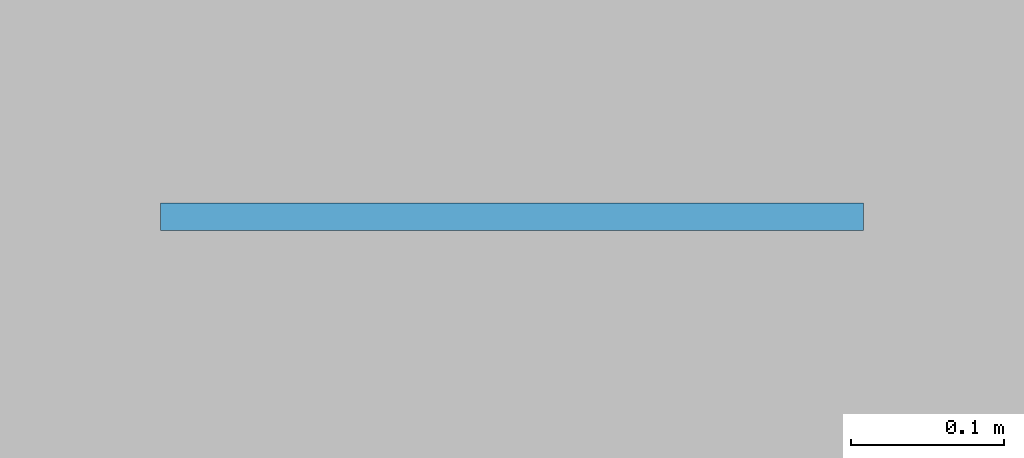
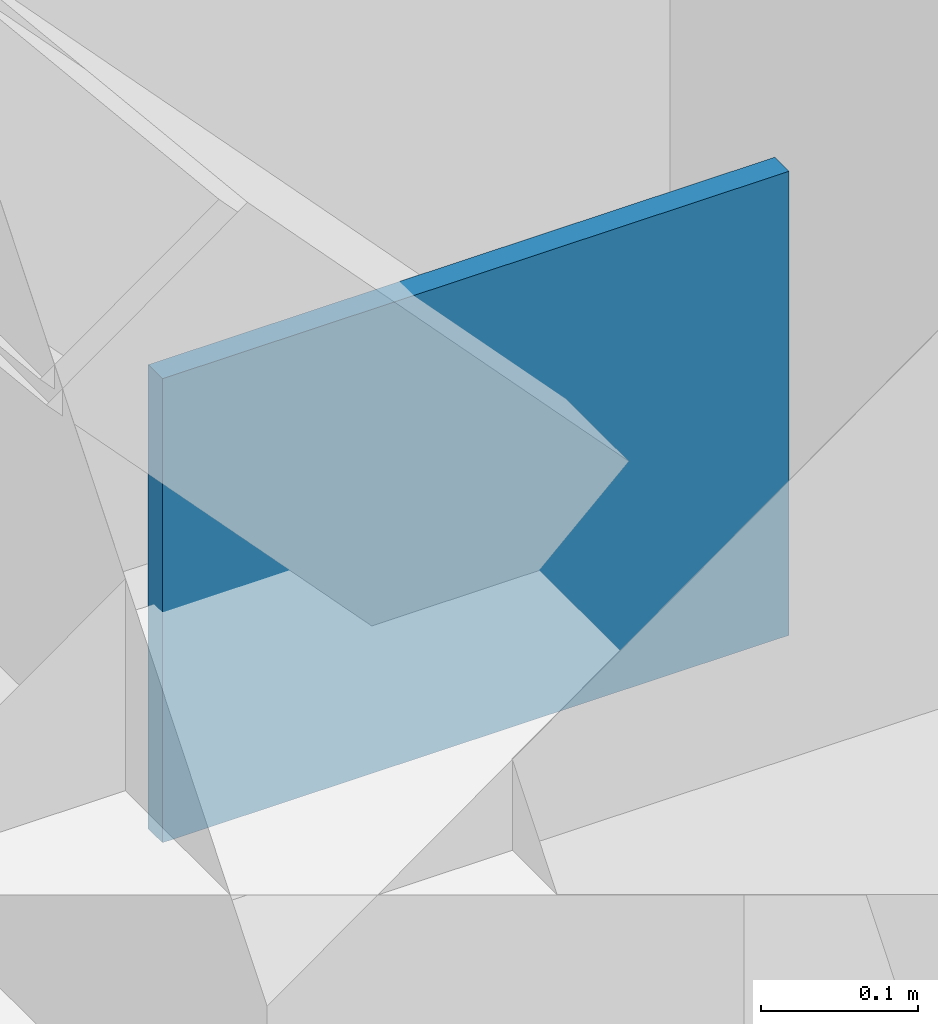
# One storey, part 61 of 111: 1 plate.
"""IFC4 building model written with IfcOpenShell, lengths in metres."""

from ifc_helpers import new_model, si_unit, direction, frame, origin, origin_2d, place, context, subcontext, project, spatial, rectangle, extrude, material, layer, layer_set, type_object, element, save


model = new_model("IFC4")

# Units and contexts
model_context = context("Model", 3, precision=1e-05, world=origin(), true_north=direction((0.0, 1.0)))
body_context = subcontext(model_context, "Body", "Model", "MODEL_VIEW")
ifc_project = project(units=[si_unit("LENGTHUNIT", "METRE"), si_unit("AREAUNIT", "SQUARE_METRE"), si_unit("VOLUMEUNIT", "CUBIC_METRE"), si_unit("PLANEANGLEUNIT", "RADIAN"), si_unit("MASSUNIT", "GRAM", prefix="KILO")], contexts=[model_context])

# Site, building, storey
site_placement = place(None, origin())
site = spatial("IfcSite", under=ifc_project, at=site_placement, CompositionType="ELEMENT")
building_placement = place(site_placement, origin())
building = spatial("IfcBuilding", under=site, at=building_placement, Name="Aldebral Square Health Centre", CompositionType="ELEMENT")
storey_placement = place(building_placement, origin())
storey = spatial("IfcBuildingStorey", under=building, at=storey_placement, Name="L00", CompositionType="ELEMENT", Elevation=0.0)

# Plate
ifc_material = material(Name="Steel S355JR", Category="steel")
ifc_layer = layer(ifc_material, 0.01806640625, Name="Steel S355JR", Category="steel")
ifc_layer_set = layer_set([ifc_layer], Name="Steel S355JR")
plate_type = type_object("IfcPlateType", Name="PL-GUS-5", PredefinedType="USERDEFINED", material=ifc_layer_set)
plate_placement = place(storey_placement, frame((165.60009765625, 115.199951171875, -0.18017578125), z_axis=(0.0, 0.0, 1.0), x_axis=(1.0, 0.0, 0.0)))
element("IfcPlate", 1, at=plate_placement, inside=storey, type_object=plate_type, Name="L00 north chevron brace 23 east base gusset plate", ObjectType="GUSSET_PLATE", PredefinedType="USERDEFINED", context=body_context, shape_type="SweptSolid", body=[
    extrude(rectangle(XDim=0.4599609375, YDim=0.01806640625, at=origin_2d()), origin(), (0.0, 0.0, 1.0), 0.360107421875),
])

save(model, "model.ifc")
